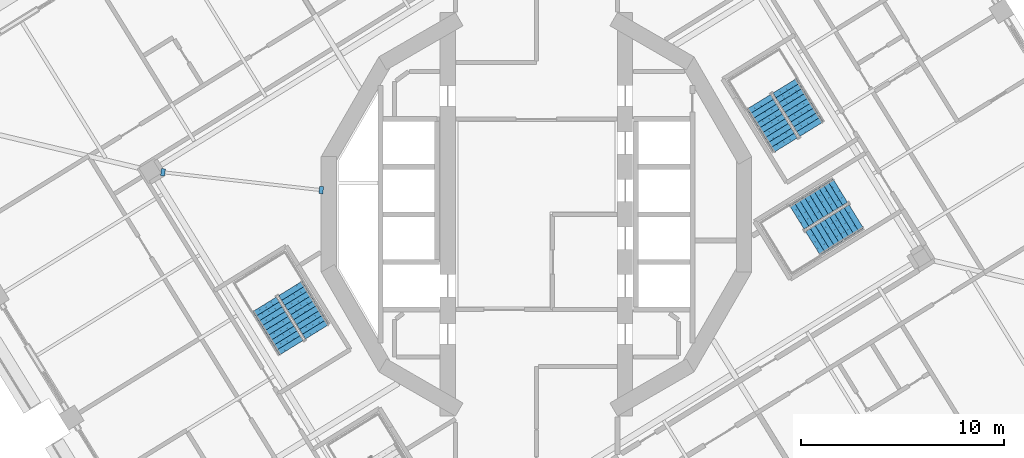
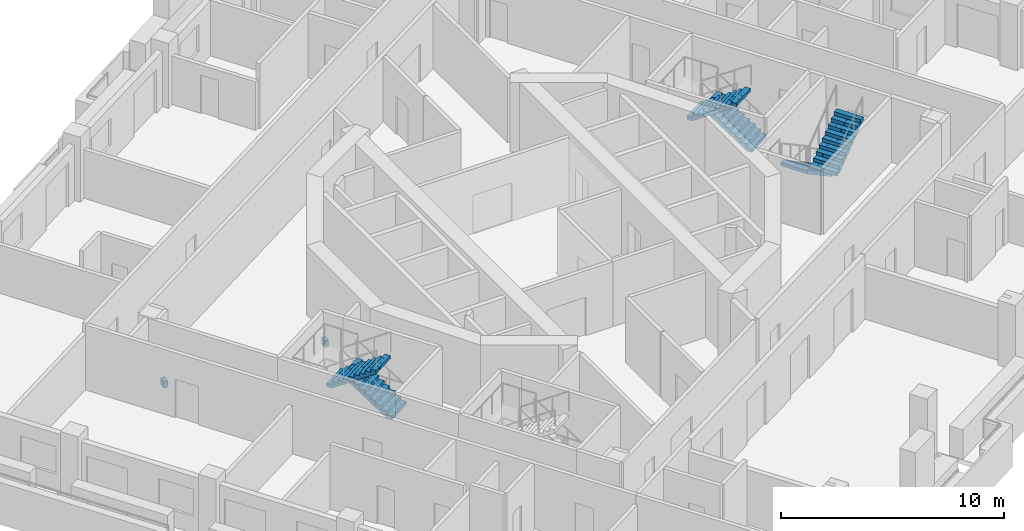
# One storey, part 11 of 21: 6 stair flights, 2 discrete accessories, 3 elements without a shape of their own.
"""IFC4 building model written with IfcOpenShell, lengths in metres."""

from ifc_helpers import new_model, si_unit, direction, frame, origin, place, context, subcontext, project, spatial, polyline, outline, extrude, material, layer, layer_set, type_object, element, aggregate, save


model = new_model("IFC4")

# Units and contexts
model_context = context("Model", 3, precision=1e-05, world=origin(), true_north=direction((0.0, 1.0)))
body_context = subcontext(model_context, "Body", "Model", "MODEL_VIEW")
ifc_project = project(units=[si_unit("LENGTHUNIT", "METRE"), si_unit("AREAUNIT", "SQUARE_METRE"), si_unit("VOLUMEUNIT", "CUBIC_METRE"), si_unit("PLANEANGLEUNIT", "RADIAN"), si_unit("MASSUNIT", "GRAM", prefix="KILO")], contexts=[model_context])

# Site, building, storey
site_placement = place(None, origin())
site = spatial("IfcSite", under=ifc_project, at=site_placement, CompositionType="ELEMENT")
building_placement = place(site_placement, origin())
building = spatial("IfcBuilding", under=site, at=building_placement, Name="Cantera Rosa Tower", CompositionType="ELEMENT")
storey_placement = place(building_placement, frame((0.0, 0.0, 170.39990234375)))
storey = spatial("IfcBuildingStorey", under=building, at=storey_placement, Name="L37", CompositionType="ELEMENT", Elevation=170.39990234375)

# Stair, stair flights
ifc_material_1 = material(Name="Concrete C35/45", Category="concrete")
stair_type = type_object("IfcStairType", Name="EXIT STAIR 1350 DOGLEG", PredefinedType="HALF_TURN_STAIR", material=ifc_material_1)
stair_1_placement = place(storey_placement, origin())
stair_1 = element("IfcStair", 1, at=stair_1_placement, inside=storey, type_object=stair_type, Name="L37 ST-31", PredefinedType="HALF_TURN_STAIR")
ifc_material_2 = material(Name="Concrete C35/45", Category="concrete")
stair_flight_type = type_object("IfcStairFlightType", Name="STAIR FLIGHT 1350 R20x190", PredefinedType="STRAIGHT", material=ifc_material_2)
stair_flight_1_placement = place(storey_placement, frame((13.5732421875, 4.2021484375, 0.0), z_axis=(0.0, 0.0, 1.0), x_axis=(-0.524976585286, 0.851116669383, 0.0)))
stair_flight_1 = element("IfcStairFlight", 2, at=stair_flight_1_placement, type_object=stair_flight_type, Name="ST-31 flight 1", NumberOfRisers=10, NumberOfTreads=9, PredefinedType="STRAIGHT", RiserHeight=0.19, TreadLength=0.28, context=body_context, shape_type="SweptSolid", body=[
    extrude(outline(polyline([(0.0, 0.0), (0.0, 0.18994140625), (0.280029296875, 0.18994140625), (0.280029296875, 0.3798828125), (0.56005859375, 0.3798828125), (0.56005859375, 0.570068359375), (0.840087890625, 0.570068359375), (0.840087890625, 0.760009765625), (1.1201171875, 0.760009765625), (1.1201171875, 0.949951171875), (1.39990234375, 0.949951171875), (1.39990234375, 1.139892578125), (1.679931640625, 1.139892578125), (1.679931640625, 1.330078125), (1.9599609375, 1.330078125), (1.9599609375, 1.52001953125), (2.239990234375, 1.52001953125), (2.239990234375, 1.7099609375), (2.52001953125, 1.7099609375), (2.52001953125, 1.89990234375), (2.52001953125, 1.52880859375), (0.266845703125, 0.0), (0.0, 0.0)])), frame((0.0, 0.675048828125, 0.0), z_axis=(0.0, -1.0, 0.0), x_axis=(1.0, 0.0, 0.0)), (0.0, 0.0, 1.0), 0.3359375),
    extrude(outline(polyline([(0.0, 0.0), (0.0, 0.18994140625), (0.280029296875, 0.18994140625), (0.280029296875, 0.3798828125), (0.56005859375, 0.3798828125), (0.56005859375, 0.570068359375), (0.840087890625, 0.570068359375), (0.840087890625, 0.760009765625), (1.1201171875, 0.760009765625), (1.1201171875, 0.949951171875), (1.39990234375, 0.949951171875), (1.39990234375, 1.139892578125), (1.679931640625, 1.139892578125), (1.679931640625, 1.330078125), (1.9599609375, 1.330078125), (1.9599609375, 1.52001953125), (2.239990234375, 1.52001953125), (2.239990234375, 1.7099609375), (2.52001953125, 1.7099609375), (2.52001953125, 1.89990234375), (2.52001953125, 1.52880859375), (0.266845703125, 0.0), (0.0, 0.0)])), frame((0.0, 0.337158203125, 0.0), z_axis=(0.0, -1.0, 0.0), x_axis=(1.0, 0.0, 0.0)), (0.0, 0.0, 1.0), 0.3359375),
    extrude(outline(polyline([(0.0, 0.0), (0.0, 0.18994140625), (0.280029296875, 0.18994140625), (0.280029296875, 0.3798828125), (0.56005859375, 0.3798828125), (0.56005859375, 0.570068359375), (0.840087890625, 0.570068359375), (0.840087890625, 0.760009765625), (1.1201171875, 0.760009765625), (1.1201171875, 0.949951171875), (1.39990234375, 0.949951171875), (1.39990234375, 1.139892578125), (1.679931640625, 1.139892578125), (1.679931640625, 1.330078125), (1.9599609375, 1.330078125), (1.9599609375, 1.52001953125), (2.239990234375, 1.52001953125), (2.239990234375, 1.7099609375), (2.52001953125, 1.7099609375), (2.52001953125, 1.89990234375), (2.52001953125, 1.52880859375), (0.266845703125, 0.0), (0.0, 0.0)])), frame((0.0, -0.000732421875, 0.0), z_axis=(0.0, -1.0, 0.0), x_axis=(1.0, 0.0, 0.0)), (0.0, 0.0, 1.0), 0.3359375),
    extrude(outline(polyline([(0.0, 0.0), (0.0, 0.18994140625), (0.280029296875, 0.18994140625), (0.280029296875, 0.3798828125), (0.56005859375, 0.3798828125), (0.56005859375, 0.570068359375), (0.840087890625, 0.570068359375), (0.840087890625, 0.760009765625), (1.1201171875, 0.760009765625), (1.1201171875, 0.949951171875), (1.39990234375, 0.949951171875), (1.39990234375, 1.139892578125), (1.679931640625, 1.139892578125), (1.679931640625, 1.330078125), (1.9599609375, 1.330078125), (1.9599609375, 1.52001953125), (2.239990234375, 1.52001953125), (2.239990234375, 1.7099609375), (2.52001953125, 1.7099609375), (2.52001953125, 1.89990234375), (2.52001953125, 1.52880859375), (0.266845703125, 0.0), (0.0, 0.0)])), frame((0.0, -0.338623046875, 0.0), z_axis=(0.0, -1.0, 0.0), x_axis=(1.0, 0.0, 0.0)), (0.0, 0.0, 1.0), 0.3359375),
])
stair_flight_2_placement = place(storey_placement, frame((10.9736328125, 5.5595703125, 1.900146484375), z_axis=(0.0, 0.0, 1.0), x_axis=(0.524976585286, -0.851116669383, 0.0)))
stair_flight_2 = element("IfcStairFlight", 3, at=stair_flight_2_placement, type_object=stair_flight_type, Name="ST-31 flight 2", NumberOfRisers=10, NumberOfTreads=9, PredefinedType="STRAIGHT", RiserHeight=0.19, TreadLength=0.28, context=body_context, shape_type="SweptSolid", body=[
    extrude(outline(polyline([(0.0, 0.0), (0.0, 0.18994140625), (0.280029296875, 0.18994140625), (0.280029296875, 0.3798828125), (0.56005859375, 0.3798828125), (0.56005859375, 0.570068359375), (0.840087890625, 0.570068359375), (0.840087890625, 0.760009765625), (1.1201171875, 0.760009765625), (1.1201171875, 0.949951171875), (1.39990234375, 0.949951171875), (1.39990234375, 1.139892578125), (1.679931640625, 1.139892578125), (1.679931640625, 1.330078125), (1.9599609375, 1.330078125), (1.9599609375, 1.52001953125), (2.239990234375, 1.52001953125), (2.239990234375, 1.7099609375), (2.52001953125, 1.7099609375), (2.52001953125, 1.89990234375), (2.52001953125, 1.52880859375), (0.266845703125, 0.0), (0.0, 0.0)])), frame((0.0, 0.675048828125, 0.0), z_axis=(0.0, -1.0, 0.0), x_axis=(1.0, 0.0, 0.0)), (0.0, 0.0, 1.0), 0.3359375),
    extrude(outline(polyline([(0.0, 0.0), (0.0, 0.18994140625), (0.280029296875, 0.18994140625), (0.280029296875, 0.3798828125), (0.56005859375, 0.3798828125), (0.56005859375, 0.570068359375), (0.840087890625, 0.570068359375), (0.840087890625, 0.760009765625), (1.1201171875, 0.760009765625), (1.1201171875, 0.949951171875), (1.39990234375, 0.949951171875), (1.39990234375, 1.139892578125), (1.679931640625, 1.139892578125), (1.679931640625, 1.330078125), (1.9599609375, 1.330078125), (1.9599609375, 1.52001953125), (2.239990234375, 1.52001953125), (2.239990234375, 1.7099609375), (2.52001953125, 1.7099609375), (2.52001953125, 1.89990234375), (2.52001953125, 1.52880859375), (0.266845703125, 0.0), (0.0, 0.0)])), frame((0.0, 0.337158203125, 0.0), z_axis=(0.0, -1.0, 0.0), x_axis=(1.0, 0.0, 0.0)), (0.0, 0.0, 1.0), 0.3359375),
    extrude(outline(polyline([(0.0, 0.0), (0.0, 0.18994140625), (0.280029296875, 0.18994140625), (0.280029296875, 0.3798828125), (0.56005859375, 0.3798828125), (0.56005859375, 0.570068359375), (0.840087890625, 0.570068359375), (0.840087890625, 0.760009765625), (1.1201171875, 0.760009765625), (1.1201171875, 0.949951171875), (1.39990234375, 0.949951171875), (1.39990234375, 1.139892578125), (1.679931640625, 1.139892578125), (1.679931640625, 1.330078125), (1.9599609375, 1.330078125), (1.9599609375, 1.52001953125), (2.239990234375, 1.52001953125), (2.239990234375, 1.7099609375), (2.52001953125, 1.7099609375), (2.52001953125, 1.89990234375), (2.52001953125, 1.52880859375), (0.266845703125, 0.0), (0.0, 0.0)])), frame((0.0, -0.000732421875, 0.0), z_axis=(0.0, -1.0, 0.0), x_axis=(1.0, 0.0, 0.0)), (0.0, 0.0, 1.0), 0.3359375),
    extrude(outline(polyline([(0.0, 0.0), (0.0, 0.18994140625), (0.280029296875, 0.18994140625), (0.280029296875, 0.3798828125), (0.56005859375, 0.3798828125), (0.56005859375, 0.570068359375), (0.840087890625, 0.570068359375), (0.840087890625, 0.760009765625), (1.1201171875, 0.760009765625), (1.1201171875, 0.949951171875), (1.39990234375, 0.949951171875), (1.39990234375, 1.139892578125), (1.679931640625, 1.139892578125), (1.679931640625, 1.330078125), (1.9599609375, 1.330078125), (1.9599609375, 1.52001953125), (2.239990234375, 1.52001953125), (2.239990234375, 1.7099609375), (2.52001953125, 1.7099609375), (2.52001953125, 1.89990234375), (2.52001953125, 1.52880859375), (0.266845703125, 0.0), (0.0, 0.0)])), frame((0.0, -0.338623046875, 0.0), z_axis=(0.0, -1.0, 0.0), x_axis=(1.0, 0.0, 0.0)), (0.0, 0.0, 1.0), 0.3359375),
])
aggregate(stair_1, [stair_flight_1, stair_flight_2])

stair_2_placement = place(storey_placement, origin())
stair_2 = element("IfcStair", 4, at=stair_2_placement, inside=storey, type_object=stair_type, Name="L37 ST-32", PredefinedType="HALF_TURN_STAIR")
stair_flight_3_placement = place(storey_placement, frame((-10.82666015625, -5.7978515625, 0.0), z_axis=(0.0, 0.0, 1.0), x_axis=(-0.524976585286, 0.851116669383, 0.0)))
stair_flight_3 = element("IfcStairFlight", 5, at=stair_flight_3_placement, type_object=stair_flight_type, Name="ST-32 flight 1", NumberOfRisers=10, NumberOfTreads=9, PredefinedType="STRAIGHT", RiserHeight=0.19, TreadLength=0.28, context=body_context, shape_type="SweptSolid", body=[
    extrude(outline(polyline([(0.0, 0.0), (0.0, 0.18994140625), (0.280029296875, 0.18994140625), (0.280029296875, 0.3798828125), (0.56005859375, 0.3798828125), (0.56005859375, 0.570068359375), (0.840087890625, 0.570068359375), (0.840087890625, 0.760009765625), (1.1201171875, 0.760009765625), (1.1201171875, 0.949951171875), (1.39990234375, 0.949951171875), (1.39990234375, 1.139892578125), (1.679931640625, 1.139892578125), (1.679931640625, 1.330078125), (1.9599609375, 1.330078125), (1.9599609375, 1.52001953125), (2.239990234375, 1.52001953125), (2.239990234375, 1.7099609375), (2.52001953125, 1.7099609375), (2.52001953125, 1.89990234375), (2.52001953125, 1.52880859375), (0.266845703125, 0.0), (0.0, 0.0)])), frame((0.0, 0.675048828125, 0.0), z_axis=(0.0, -1.0, 0.0), x_axis=(1.0, 0.0, 0.0)), (0.0, 0.0, 1.0), 0.3359375),
    extrude(outline(polyline([(0.0, 0.0), (0.0, 0.18994140625), (0.280029296875, 0.18994140625), (0.280029296875, 0.3798828125), (0.56005859375, 0.3798828125), (0.56005859375, 0.570068359375), (0.840087890625, 0.570068359375), (0.840087890625, 0.760009765625), (1.1201171875, 0.760009765625), (1.1201171875, 0.949951171875), (1.39990234375, 0.949951171875), (1.39990234375, 1.139892578125), (1.679931640625, 1.139892578125), (1.679931640625, 1.330078125), (1.9599609375, 1.330078125), (1.9599609375, 1.52001953125), (2.239990234375, 1.52001953125), (2.239990234375, 1.7099609375), (2.52001953125, 1.7099609375), (2.52001953125, 1.89990234375), (2.52001953125, 1.52880859375), (0.266845703125, 0.0), (0.0, 0.0)])), frame((0.0, 0.337158203125, 0.0), z_axis=(0.0, -1.0, 0.0), x_axis=(1.0, 0.0, 0.0)), (0.0, 0.0, 1.0), 0.3359375),
    extrude(outline(polyline([(0.0, 0.0), (0.0, 0.18994140625), (0.280029296875, 0.18994140625), (0.280029296875, 0.3798828125), (0.56005859375, 0.3798828125), (0.56005859375, 0.570068359375), (0.840087890625, 0.570068359375), (0.840087890625, 0.760009765625), (1.1201171875, 0.760009765625), (1.1201171875, 0.949951171875), (1.39990234375, 0.949951171875), (1.39990234375, 1.139892578125), (1.679931640625, 1.139892578125), (1.679931640625, 1.330078125), (1.9599609375, 1.330078125), (1.9599609375, 1.52001953125), (2.239990234375, 1.52001953125), (2.239990234375, 1.7099609375), (2.52001953125, 1.7099609375), (2.52001953125, 1.89990234375), (2.52001953125, 1.52880859375), (0.266845703125, 0.0), (0.0, 0.0)])), frame((0.0, -0.000732421875, 0.0), z_axis=(0.0, -1.0, 0.0), x_axis=(1.0, 0.0, 0.0)), (0.0, 0.0, 1.0), 0.3359375),
    extrude(outline(polyline([(0.0, 0.0), (0.0, 0.18994140625), (0.280029296875, 0.18994140625), (0.280029296875, 0.3798828125), (0.56005859375, 0.3798828125), (0.56005859375, 0.570068359375), (0.840087890625, 0.570068359375), (0.840087890625, 0.760009765625), (1.1201171875, 0.760009765625), (1.1201171875, 0.949951171875), (1.39990234375, 0.949951171875), (1.39990234375, 1.139892578125), (1.679931640625, 1.139892578125), (1.679931640625, 1.330078125), (1.9599609375, 1.330078125), (1.9599609375, 1.52001953125), (2.239990234375, 1.52001953125), (2.239990234375, 1.7099609375), (2.52001953125, 1.7099609375), (2.52001953125, 1.89990234375), (2.52001953125, 1.52880859375), (0.266845703125, 0.0), (0.0, 0.0)])), frame((0.0, -0.338623046875, 0.0), z_axis=(0.0, -1.0, 0.0), x_axis=(1.0, 0.0, 0.0)), (0.0, 0.0, 1.0), 0.3359375),
])
stair_flight_4_placement = place(storey_placement, frame((-13.42626953125, -4.4404296875, 1.900146484375), z_axis=(0.0, 0.0, 1.0), x_axis=(0.524976585286, -0.851116669383, 0.0)))
stair_flight_4 = element("IfcStairFlight", 6, at=stair_flight_4_placement, type_object=stair_flight_type, Name="ST-32 flight 2", NumberOfRisers=10, NumberOfTreads=9, PredefinedType="STRAIGHT", RiserHeight=0.19, TreadLength=0.28, context=body_context, shape_type="SweptSolid", body=[
    extrude(outline(polyline([(0.0, 0.0), (0.0, 0.18994140625), (0.280029296875, 0.18994140625), (0.280029296875, 0.3798828125), (0.56005859375, 0.3798828125), (0.56005859375, 0.570068359375), (0.840087890625, 0.570068359375), (0.840087890625, 0.760009765625), (1.1201171875, 0.760009765625), (1.1201171875, 0.949951171875), (1.39990234375, 0.949951171875), (1.39990234375, 1.139892578125), (1.679931640625, 1.139892578125), (1.679931640625, 1.330078125), (1.9599609375, 1.330078125), (1.9599609375, 1.52001953125), (2.239990234375, 1.52001953125), (2.239990234375, 1.7099609375), (2.52001953125, 1.7099609375), (2.52001953125, 1.89990234375), (2.52001953125, 1.52880859375), (0.266845703125, 0.0), (0.0, 0.0)])), frame((0.0, 0.675048828125, 0.0), z_axis=(0.0, -1.0, 0.0), x_axis=(1.0, 0.0, 0.0)), (0.0, 0.0, 1.0), 0.3359375),
    extrude(outline(polyline([(0.0, 0.0), (0.0, 0.18994140625), (0.280029296875, 0.18994140625), (0.280029296875, 0.3798828125), (0.56005859375, 0.3798828125), (0.56005859375, 0.570068359375), (0.840087890625, 0.570068359375), (0.840087890625, 0.760009765625), (1.1201171875, 0.760009765625), (1.1201171875, 0.949951171875), (1.39990234375, 0.949951171875), (1.39990234375, 1.139892578125), (1.679931640625, 1.139892578125), (1.679931640625, 1.330078125), (1.9599609375, 1.330078125), (1.9599609375, 1.52001953125), (2.239990234375, 1.52001953125), (2.239990234375, 1.7099609375), (2.52001953125, 1.7099609375), (2.52001953125, 1.89990234375), (2.52001953125, 1.52880859375), (0.266845703125, 0.0), (0.0, 0.0)])), frame((0.0, 0.337158203125, 0.0), z_axis=(0.0, -1.0, 0.0), x_axis=(1.0, 0.0, 0.0)), (0.0, 0.0, 1.0), 0.3359375),
    extrude(outline(polyline([(0.0, 0.0), (0.0, 0.18994140625), (0.280029296875, 0.18994140625), (0.280029296875, 0.3798828125), (0.56005859375, 0.3798828125), (0.56005859375, 0.570068359375), (0.840087890625, 0.570068359375), (0.840087890625, 0.760009765625), (1.1201171875, 0.760009765625), (1.1201171875, 0.949951171875), (1.39990234375, 0.949951171875), (1.39990234375, 1.139892578125), (1.679931640625, 1.139892578125), (1.679931640625, 1.330078125), (1.9599609375, 1.330078125), (1.9599609375, 1.52001953125), (2.239990234375, 1.52001953125), (2.239990234375, 1.7099609375), (2.52001953125, 1.7099609375), (2.52001953125, 1.89990234375), (2.52001953125, 1.52880859375), (0.266845703125, 0.0), (0.0, 0.0)])), frame((0.0, -0.000732421875, 0.0), z_axis=(0.0, -1.0, 0.0), x_axis=(1.0, 0.0, 0.0)), (0.0, 0.0, 1.0), 0.3359375),
    extrude(outline(polyline([(0.0, 0.0), (0.0, 0.18994140625), (0.280029296875, 0.18994140625), (0.280029296875, 0.3798828125), (0.56005859375, 0.3798828125), (0.56005859375, 0.570068359375), (0.840087890625, 0.570068359375), (0.840087890625, 0.760009765625), (1.1201171875, 0.760009765625), (1.1201171875, 0.949951171875), (1.39990234375, 0.949951171875), (1.39990234375, 1.139892578125), (1.679931640625, 1.139892578125), (1.679931640625, 1.330078125), (1.9599609375, 1.330078125), (1.9599609375, 1.52001953125), (2.239990234375, 1.52001953125), (2.239990234375, 1.7099609375), (2.52001953125, 1.7099609375), (2.52001953125, 1.89990234375), (2.52001953125, 1.52880859375), (0.266845703125, 0.0), (0.0, 0.0)])), frame((0.0, -0.338623046875, 0.0), z_axis=(0.0, -1.0, 0.0), x_axis=(1.0, 0.0, 0.0)), (0.0, 0.0, 1.0), 0.3359375),
])
aggregate(stair_2, [stair_flight_3, stair_flight_4])

stair_3_placement = place(storey_placement, origin())
stair_3 = element("IfcStair", 7, at=stair_3_placement, inside=storey, type_object=stair_type, Name="L37 ST-34", PredefinedType="HALF_TURN_STAIR")
stair_flight_5_placement = place(storey_placement, frame((14.997802734375, 1.17333984375, 0.0), z_axis=(0.0, 0.0, 1.0), x_axis=(-0.851116669383, -0.524976585286, 0.0)))
stair_flight_5 = element("IfcStairFlight", 8, at=stair_flight_5_placement, type_object=stair_flight_type, Name="ST-34 flight 1", NumberOfRisers=10, NumberOfTreads=9, PredefinedType="STRAIGHT", RiserHeight=0.19, TreadLength=0.28, context=body_context, shape_type="SweptSolid", body=[
    extrude(outline(polyline([(0.0, 0.0), (0.0, 0.18994140625), (0.280029296875, 0.18994140625), (0.280029296875, 0.3798828125), (0.56005859375, 0.3798828125), (0.56005859375, 0.570068359375), (0.840087890625, 0.570068359375), (0.840087890625, 0.760009765625), (1.1201171875, 0.760009765625), (1.1201171875, 0.949951171875), (1.39990234375, 0.949951171875), (1.39990234375, 1.139892578125), (1.679931640625, 1.139892578125), (1.679931640625, 1.330078125), (1.9599609375, 1.330078125), (1.9599609375, 1.52001953125), (2.239990234375, 1.52001953125), (2.239990234375, 1.7099609375), (2.52001953125, 1.7099609375), (2.52001953125, 1.89990234375), (2.52001953125, 1.52880859375), (0.266845703125, 0.0), (0.0, 0.0)])), frame((0.0, 0.675048828125, 0.0), z_axis=(0.0, -1.0, 0.0), x_axis=(1.0, 0.0, 0.0)), (0.0, 0.0, 1.0), 0.3359375),
    extrude(outline(polyline([(0.0, 0.0), (0.0, 0.18994140625), (0.280029296875, 0.18994140625), (0.280029296875, 0.3798828125), (0.56005859375, 0.3798828125), (0.56005859375, 0.570068359375), (0.840087890625, 0.570068359375), (0.840087890625, 0.760009765625), (1.1201171875, 0.760009765625), (1.1201171875, 0.949951171875), (1.39990234375, 0.949951171875), (1.39990234375, 1.139892578125), (1.679931640625, 1.139892578125), (1.679931640625, 1.330078125), (1.9599609375, 1.330078125), (1.9599609375, 1.52001953125), (2.239990234375, 1.52001953125), (2.239990234375, 1.7099609375), (2.52001953125, 1.7099609375), (2.52001953125, 1.89990234375), (2.52001953125, 1.52880859375), (0.266845703125, 0.0), (0.0, 0.0)])), frame((0.0, 0.337158203125, 0.0), z_axis=(0.0, -1.0, 0.0), x_axis=(1.0, 0.0, 0.0)), (0.0, 0.0, 1.0), 0.3359375),
    extrude(outline(polyline([(0.0, 0.0), (0.0, 0.18994140625), (0.280029296875, 0.18994140625), (0.280029296875, 0.3798828125), (0.56005859375, 0.3798828125), (0.56005859375, 0.570068359375), (0.840087890625, 0.570068359375), (0.840087890625, 0.760009765625), (1.1201171875, 0.760009765625), (1.1201171875, 0.949951171875), (1.39990234375, 0.949951171875), (1.39990234375, 1.139892578125), (1.679931640625, 1.139892578125), (1.679931640625, 1.330078125), (1.9599609375, 1.330078125), (1.9599609375, 1.52001953125), (2.239990234375, 1.52001953125), (2.239990234375, 1.7099609375), (2.52001953125, 1.7099609375), (2.52001953125, 1.89990234375), (2.52001953125, 1.52880859375), (0.266845703125, 0.0), (0.0, 0.0)])), frame((0.0, -0.000732421875, 0.0), z_axis=(0.0, -1.0, 0.0), x_axis=(1.0, 0.0, 0.0)), (0.0, 0.0, 1.0), 0.3359375),
    extrude(outline(polyline([(0.0, 0.0), (0.0, 0.18994140625), (0.280029296875, 0.18994140625), (0.280029296875, 0.3798828125), (0.56005859375, 0.3798828125), (0.56005859375, 0.570068359375), (0.840087890625, 0.570068359375), (0.840087890625, 0.760009765625), (1.1201171875, 0.760009765625), (1.1201171875, 0.949951171875), (1.39990234375, 0.949951171875), (1.39990234375, 1.139892578125), (1.679931640625, 1.139892578125), (1.679931640625, 1.330078125), (1.9599609375, 1.330078125), (1.9599609375, 1.52001953125), (2.239990234375, 1.52001953125), (2.239990234375, 1.7099609375), (2.52001953125, 1.7099609375), (2.52001953125, 1.89990234375), (2.52001953125, 1.52880859375), (0.266845703125, 0.0), (0.0, 0.0)])), frame((0.0, -0.338623046875, 0.0), z_axis=(0.0, -1.0, 0.0), x_axis=(1.0, 0.0, 0.0)), (0.0, 0.0, 1.0), 0.3359375),
])
stair_flight_6_placement = place(storey_placement, frame((13.640380859375, -1.42626953125, 1.900146484375), z_axis=(0.0, 0.0, 1.0), x_axis=(0.851116669383, 0.524976585286, 0.0)))
stair_flight_6 = element("IfcStairFlight", 9, at=stair_flight_6_placement, type_object=stair_flight_type, Name="ST-34 flight 2", NumberOfRisers=10, NumberOfTreads=9, PredefinedType="STRAIGHT", RiserHeight=0.19, TreadLength=0.28, context=body_context, shape_type="SweptSolid", body=[
    extrude(outline(polyline([(0.0, 0.0), (0.0, 0.18994140625), (0.280029296875, 0.18994140625), (0.280029296875, 0.3798828125), (0.56005859375, 0.3798828125), (0.56005859375, 0.570068359375), (0.840087890625, 0.570068359375), (0.840087890625, 0.760009765625), (1.1201171875, 0.760009765625), (1.1201171875, 0.949951171875), (1.39990234375, 0.949951171875), (1.39990234375, 1.139892578125), (1.679931640625, 1.139892578125), (1.679931640625, 1.330078125), (1.9599609375, 1.330078125), (1.9599609375, 1.52001953125), (2.239990234375, 1.52001953125), (2.239990234375, 1.7099609375), (2.52001953125, 1.7099609375), (2.52001953125, 1.89990234375), (2.52001953125, 1.52880859375), (0.266845703125, 0.0), (0.0, 0.0)])), frame((0.0, 0.675048828125, 0.0), z_axis=(0.0, -1.0, 0.0), x_axis=(1.0, 0.0, 0.0)), (0.0, 0.0, 1.0), 0.3359375),
    extrude(outline(polyline([(0.0, 0.0), (0.0, 0.18994140625), (0.280029296875, 0.18994140625), (0.280029296875, 0.3798828125), (0.56005859375, 0.3798828125), (0.56005859375, 0.570068359375), (0.840087890625, 0.570068359375), (0.840087890625, 0.760009765625), (1.1201171875, 0.760009765625), (1.1201171875, 0.949951171875), (1.39990234375, 0.949951171875), (1.39990234375, 1.139892578125), (1.679931640625, 1.139892578125), (1.679931640625, 1.330078125), (1.9599609375, 1.330078125), (1.9599609375, 1.52001953125), (2.239990234375, 1.52001953125), (2.239990234375, 1.7099609375), (2.52001953125, 1.7099609375), (2.52001953125, 1.89990234375), (2.52001953125, 1.52880859375), (0.266845703125, 0.0), (0.0, 0.0)])), frame((0.0, 0.337158203125, 0.0), z_axis=(0.0, -1.0, 0.0), x_axis=(1.0, 0.0, 0.0)), (0.0, 0.0, 1.0), 0.3359375),
    extrude(outline(polyline([(0.0, 0.0), (0.0, 0.18994140625), (0.280029296875, 0.18994140625), (0.280029296875, 0.3798828125), (0.56005859375, 0.3798828125), (0.56005859375, 0.570068359375), (0.840087890625, 0.570068359375), (0.840087890625, 0.760009765625), (1.1201171875, 0.760009765625), (1.1201171875, 0.949951171875), (1.39990234375, 0.949951171875), (1.39990234375, 1.139892578125), (1.679931640625, 1.139892578125), (1.679931640625, 1.330078125), (1.9599609375, 1.330078125), (1.9599609375, 1.52001953125), (2.239990234375, 1.52001953125), (2.239990234375, 1.7099609375), (2.52001953125, 1.7099609375), (2.52001953125, 1.89990234375), (2.52001953125, 1.52880859375), (0.266845703125, 0.0), (0.0, 0.0)])), frame((0.0, -0.000732421875, 0.0), z_axis=(0.0, -1.0, 0.0), x_axis=(1.0, 0.0, 0.0)), (0.0, 0.0, 1.0), 0.3359375),
    extrude(outline(polyline([(0.0, 0.0), (0.0, 0.18994140625), (0.280029296875, 0.18994140625), (0.280029296875, 0.3798828125), (0.56005859375, 0.3798828125), (0.56005859375, 0.570068359375), (0.840087890625, 0.570068359375), (0.840087890625, 0.760009765625), (1.1201171875, 0.760009765625), (1.1201171875, 0.949951171875), (1.39990234375, 0.949951171875), (1.39990234375, 1.139892578125), (1.679931640625, 1.139892578125), (1.679931640625, 1.330078125), (1.9599609375, 1.330078125), (1.9599609375, 1.52001953125), (2.239990234375, 1.52001953125), (2.239990234375, 1.7099609375), (2.52001953125, 1.7099609375), (2.52001953125, 1.89990234375), (2.52001953125, 1.52880859375), (0.266845703125, 0.0), (0.0, 0.0)])), frame((0.0, -0.338623046875, 0.0), z_axis=(0.0, -1.0, 0.0), x_axis=(1.0, 0.0, 0.0)), (0.0, 0.0, 1.0), 0.3359375),
])
aggregate(stair_3, [stair_flight_5, stair_flight_6])

# Discrete accessories
ifc_material_3 = material(Name="Steel ASTM A992 (Fy 345 MPa)", Category="steel")
ifc_layer = layer(ifc_material_3, 0.0400390625)
ifc_layer_set = layer_set([ifc_layer], Name="STEEL BEARING PLATE 40")
discrete_accessory_type = type_object("IfcDiscreteAccessoryType", Name="STEEL BEARING PLATE 40", PredefinedType="ANCHORPLATE", material=ifc_layer_set)
discrete_accessory_1_placement = place(storey_placement, frame((0.0, 0.0, -0.659912109375)))
element("IfcDiscreteAccessory", 10, at=discrete_accessory_1_placement, inside=storey, type_object=discrete_accessory_type, Name="BEARING PLATE PG-Z3-01 end 1 L37", PredefinedType="ANCHORPLATE", context=body_context, shape_type="SweptSolid", body=[
    extrude(outline(polyline([(-18.316650390625, 2.242919921875), (-18.515380859375, 2.265380859375), (-18.554931640625, 1.91357421875), (-18.356201171875, 1.89111328125), (-18.316650390625, 2.242919921875)])), origin(), (0.0, 0.0, 1.0), 0.360107421875),
])
discrete_accessory_2_placement = place(storey_placement, frame((0.0, 0.0, -0.659912109375)))
element("IfcDiscreteAccessory", 11, at=discrete_accessory_2_placement, inside=storey, type_object=discrete_accessory_type, Name="BEARING PLATE PG-Z3-01 end 2 L37", PredefinedType="ANCHORPLATE", context=body_context, shape_type="SweptSolid", body=[
    extrude(outline(polyline([(-10.744384765625, 1.033203125), (-10.545654296875, 1.0107421875), (-10.506103515625, 1.3623046875), (-10.70458984375, 1.384765625), (-10.744384765625, 1.033203125)])), origin(), (0.0, 0.0, 1.0), 0.360107421875),
])

save(model, "model.ifc")
